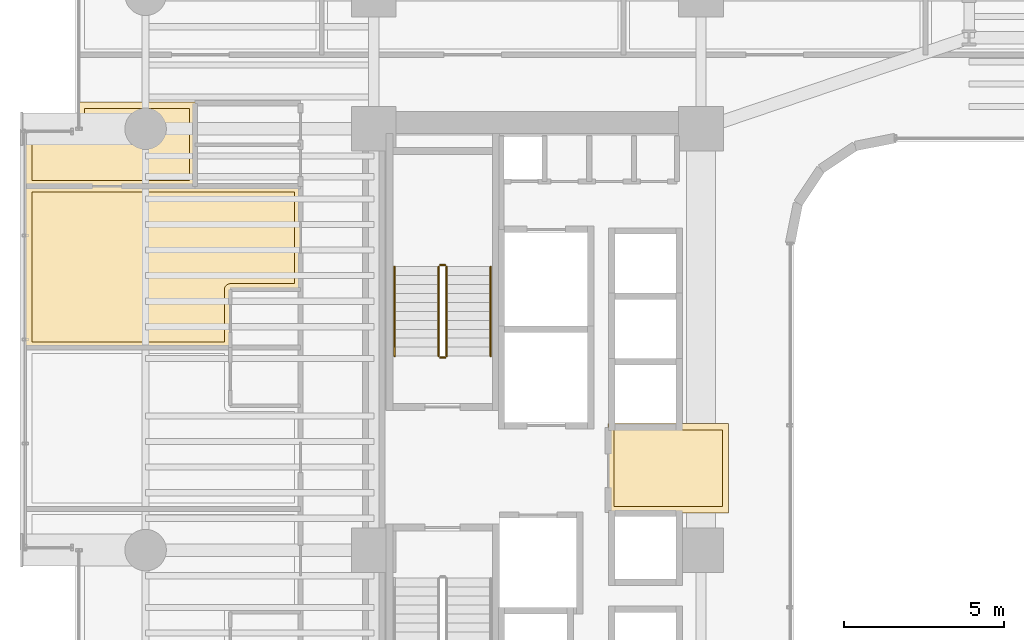
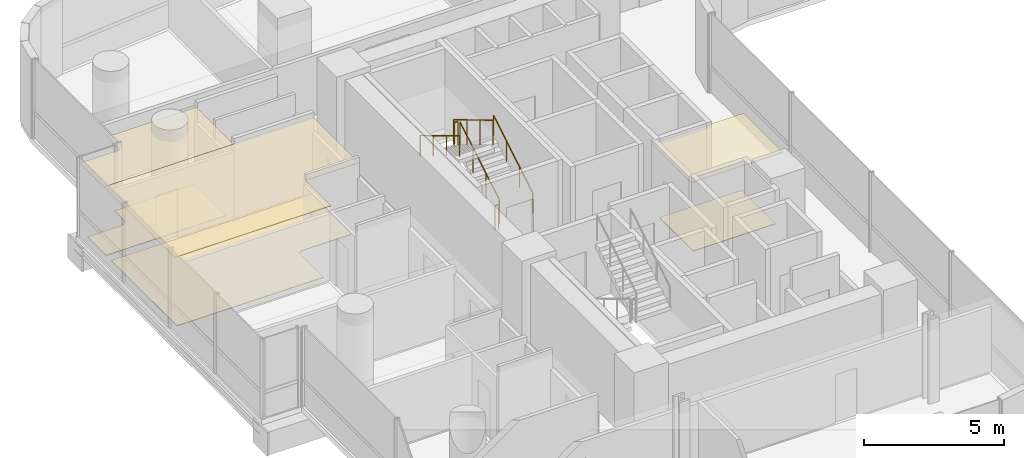
# One storey, part 36 of 39: 6 coverings, 6 railings.
"""IFC4 building model written with IfcOpenShell, lengths in metres."""

from ifc_helpers import new_model, si_unit, direction, frame, origin, origin_2d, place, context, subcontext, project, spatial, polyline, circle, outline, extrude, material, layer, layer_set, type_object, element, save


model = new_model("IFC4")

# Units and contexts
model_context = context("Model", 3, precision=1e-05, world=origin(), true_north=direction((0.0, 1.0)))
body_context = subcontext(model_context, "Body", "Model", "MODEL_VIEW")
ifc_project = project(units=[si_unit("LENGTHUNIT", "METRE"), si_unit("AREAUNIT", "SQUARE_METRE"), si_unit("VOLUMEUNIT", "CUBIC_METRE"), si_unit("PLANEANGLEUNIT", "RADIAN"), si_unit("MASSUNIT", "GRAM", prefix="KILO")], contexts=[model_context])

# Site, building, storey
site_placement = place(None, origin())
site = spatial("IfcSite", under=ifc_project, at=site_placement, CompositionType="ELEMENT")
building_placement = place(site_placement, origin())
building = spatial("IfcBuilding", under=site, at=building_placement, Name="Valdorenza Pilgrim Sanctuary Tower", CompositionType="ELEMENT")
storey_placement = place(building_placement, frame((0.0, 0.0, 77.800048828125)))
storey = spatial("IfcBuildingStorey", under=building, at=storey_placement, Name="L19", CompositionType="ELEMENT", Elevation=77.800048828125)

# Coverings
ifc_material_1 = material(Name="Micro-perforated acoustic mineral ceiling tile", Category="gypsum")
ifc_layer_1 = layer(ifc_material_1, 0.02490234375, Name="Micro-perforated acoustic mineral ceiling tile")
ifc_layer_set_1 = layer_set([ifc_layer_1], Name="Micro-perforated acoustic mineral ceiling tile")
covering_type_1 = type_object("IfcCoveringType", Name="COV-CLG-ACU", PredefinedType="CEILING", material=ifc_layer_set_1)
covering_1_placement = place(storey_placement, frame((0.0, 0.0, 3.159912109375)))
element("IfcCovering", 1, at=covering_1_placement, inside=storey, type_object=covering_type_1, Name="L19 Core A Passenger Lift Lobby Acoustic Ceiling", PredefinedType="CEILING", context=body_context, shape_type="SweptSolid", body=[
    extrude(outline(polyline([(-15.31298828125, 1.244384765625), (-15.31298828125, 1.24462890625), (-15.313720703125, 1.24609375), (-15.314208984375, 1.24755859375), (-15.314697265625, 1.2490234375), (-15.31494140625, 1.25048828125), (-15.31494140625, 1.251953125), (-15.31494140625, 1.35009765625), (-15.31494140625, 1.3515625), (-15.314697265625, 1.352783203125), (-15.314453125, 1.3544921875), (-15.31396484375, 1.355712890625), (-15.313232421875, 1.357177734375), (-15.3125, 1.3583984375), (-15.3115234375, 1.359619140625), (-15.310546875, 1.360595703125), (-15.3095703125, 1.361572265625), (-15.308349609375, 1.362548828125), (-15.30712890625, 1.36328125), (-15.3056640625, 1.364013671875), (-15.304443359375, 1.364501953125), (-15.302978515625, 1.36474609375), (-15.301513671875, 1.364990234375), (-15.300048828125, 1.364990234375), (-15.10205078125, 1.364990234375), (-15.1005859375, 1.364990234375), (-15.09912109375, 1.36474609375), (-15.097412109375, 1.3642578125), (-15.09619140625, 1.36376953125), (-15.0947265625, 1.363037109375), (-15.094482421875, 1.363037109375), (-13.185546875, 1.363037109375), (-13.185302734375, 1.363037109375), (-13.183837890625, 1.36376953125), (-13.1826171875, 1.3642578125), (-13.180908203125, 1.36474609375), (-13.179443359375, 1.364990234375), (-13.177978515625, 1.364990234375), (-11.550048828125, 1.364990234375), (-11.548583984375, 1.364990234375), (-11.547119140625, 1.36474609375), (-11.545654296875, 1.364501953125), (-11.544189453125, 1.364013671875), (-11.54296875, 1.36328125), (-11.541748046875, 1.362548828125), (-11.54052734375, 1.361572265625), (-11.539306640625, 1.360595703125), (-11.538330078125, 1.359619140625), (-11.53759765625, 1.3583984375), (-11.536865234375, 1.357177734375), (-11.5361328125, 1.355712890625), (-11.53564453125, 1.3544921875), (-11.535400390625, 1.352783203125), (-11.53515625, 1.3515625), (-11.534912109375, 1.35009765625), (-11.534912109375, -1.419921875), (-11.53515625, -1.42138671875), (-11.535400390625, -1.4228515625), (-11.53564453125, -1.42431640625), (-11.5361328125, -1.42578125), (-11.536865234375, -1.427001953125), (-11.53759765625, -1.42822265625), (-11.538330078125, -1.429443359375), (-11.539306640625, -1.4306640625), (-11.54052734375, -1.431640625), (-11.541748046875, -1.4326171875), (-11.54296875, -1.43310546875), (-11.544189453125, -1.433837890625), (-11.545654296875, -1.434326171875), (-11.547119140625, -1.434814453125), (-11.548583984375, -1.434814453125), (-11.550048828125, -1.43505859375), (-15.298095703125, -1.43505859375), (-15.299560546875, -1.434814453125), (-15.30078125, -1.434814453125), (-15.302490234375, -1.434326171875), (-15.3037109375, -1.433837890625), (-15.30517578125, -1.43310546875), (-15.306396484375, -1.4326171875), (-15.3076171875, -1.431640625), (-15.30859375, -1.4306640625), (-15.3095703125, -1.429443359375), (-15.310546875, -1.42822265625), (-15.311279296875, -1.427001953125), (-15.31201171875, -1.42578125), (-15.3125, -1.42431640625), (-15.312744140625, -1.4228515625), (-15.31298828125, -1.42138671875), (-15.31298828125, -1.419921875), (-15.31298828125, 1.244384765625)])), origin(), (0.0, 0.0, 1.0), 0.025146484375),
])
covering_2_placement = place(storey_placement, frame((0.0, 0.0, 3.159912109375)))
element("IfcCovering", 2, at=covering_2_placement, inside=storey, type_object=covering_type_1, Name="L19 Pilgrim Scholar Office L19-WN Acoustic Ceiling", PredefinedType="CEILING", context=body_context, shape_type="SweptSolid", body=[
    extrude(outline(polyline([(-28.237060546875, 11.39453125), (-28.237060546875, 10.103759765625), (-28.23681640625, 10.10302734375), (-28.23681640625, 10.1015625), (-28.23681640625, 10.10009765625), (-28.23681640625, 10.098388671875), (-28.237060546875, 10.09814453125), (-28.237060546875, 8.800048828125), (-28.237060546875, 8.798583984375), (-28.2373046875, 8.797119140625), (-28.237548828125, 8.795654296875), (-28.238037109375, 8.794189453125), (-28.23876953125, 8.79296875), (-28.239501953125, 8.791748046875), (-28.240478515625, 8.79052734375), (-28.241455078125, 8.789306640625), (-28.242431640625, 8.788330078125), (-28.24365234375, 8.78759765625), (-28.244873046875, 8.786865234375), (-28.246337890625, 8.7861328125), (-28.24755859375, 8.78564453125), (-28.2490234375, 8.785400390625), (-28.25048828125, 8.78515625), (-28.251953125, 8.784912109375), (-33.5400390625, 8.784912109375), (-33.54150390625, 8.78515625), (-33.54296875, 8.785400390625), (-33.54443359375, 8.78564453125), (-33.545654296875, 8.7861328125), (-33.547119140625, 8.786865234375), (-33.54833984375, 8.78759765625), (-33.549560546875, 8.788330078125), (-33.550537109375, 8.789306640625), (-33.551513671875, 8.79052734375), (-33.552490234375, 8.791748046875), (-33.55322265625, 8.79296875), (-33.553955078125, 8.794189453125), (-33.554443359375, 8.795654296875), (-33.5546875, 8.797119140625), (-33.554931640625, 8.798583984375), (-33.554931640625, 8.800048828125), (-33.554931640625, 10.489990234375), (-33.554931640625, 10.491455078125), (-33.5546875, 10.492919921875), (-33.554443359375, 10.494384765625), (-33.553955078125, 10.49560546875), (-33.55322265625, 10.4970703125), (-33.552490234375, 10.498291015625), (-33.551513671875, 10.49951171875), (-33.550537109375, 10.50048828125), (-33.549560546875, 10.501708984375), (-33.54833984375, 10.50244140625), (-33.547119140625, 10.503173828125), (-33.545654296875, 10.50390625), (-33.54443359375, 10.50439453125), (-33.54296875, 10.504638671875), (-33.54150390625, 10.5048828125), (-33.5400390625, 10.5048828125), (-32.00048828125, 10.5048828125), (-31.99072265625, 10.505615234375), (-31.9814453125, 10.5068359375), (-31.972412109375, 10.509033203125), (-31.963623046875, 10.51220703125), (-31.955078125, 10.51611328125), (-31.947265625, 10.52099609375), (-31.939697265625, 10.526611328125), (-31.932861328125, 10.53271484375), (-31.926513671875, 10.539794921875), (-31.9208984375, 10.547119140625), (-31.916259765625, 10.55517578125), (-31.912109375, 10.563720703125), (-31.9091796875, 10.572509765625), (-31.90673828125, 10.58154296875), (-31.905517578125, 10.5908203125), (-31.905029296875, 10.600341796875), (-31.905029296875, 11.419921875), (-31.90478515625, 11.42138671875), (-31.90478515625, 11.4228515625), (-31.904296875, 11.42431640625), (-31.90380859375, 11.42578125), (-31.9033203125, 11.427001953125), (-31.902587890625, 11.42822265625), (-31.901611328125, 11.429443359375), (-31.900634765625, 11.4306640625), (-31.8994140625, 11.431640625), (-31.898193359375, 11.4326171875), (-31.897216796875, 11.43310546875), (-31.895751953125, 11.433837890625), (-31.894287109375, 11.434326171875), (-31.892822265625, 11.434814453125), (-31.8916015625, 11.434814453125), (-31.889892578125, 11.43505859375), (-28.25, 11.43505859375), (-28.24853515625, 11.434814453125), (-28.2470703125, 11.434814453125), (-28.24560546875, 11.434326171875), (-28.244384765625, 11.433837890625), (-28.242919921875, 11.43310546875), (-28.24169921875, 11.4326171875), (-28.240478515625, 11.431640625), (-28.239501953125, 11.4306640625), (-28.23828125, 11.429443359375), (-28.237548828125, 11.42822265625), (-28.23681640625, 11.427001953125), (-28.236083984375, 11.42578125), (-28.235595703125, 11.42431640625), (-28.2353515625, 11.4228515625), (-28.235107421875, 11.42138671875), (-28.235107421875, 11.419921875), (-28.235107421875, 11.402099609375), (-28.235107421875, 11.400390625), (-28.2353515625, 11.39892578125), (-28.235595703125, 11.3974609375), (-28.236083984375, 11.39599609375), (-28.23681640625, 11.394775390625), (-28.237060546875, 11.39453125)])), origin(), (0.0, 0.0, 1.0), 0.025146484375),
])
covering_3_placement = place(storey_placement, frame((0.0, 0.0, 3.159912109375)))
element("IfcCovering", 3, at=covering_3_placement, inside=storey, type_object=covering_type_1, Name="L19 Pilgrim Guest Room L19-W4 Acoustic Ceiling", PredefinedType="CEILING", context=body_context, shape_type="SweptSolid", body=[
    extrude(outline(polyline([(-28.253662109375, 8.81298828125), (-28.253173828125, 8.81298828125), (-28.25146484375, 8.813232421875), (-28.25, 8.813232421875), (-28.24853515625, 8.81298828125), (-28.248291015625, 8.81298828125), (-24.949951171875, 8.81298828125), (-24.948486328125, 8.81298828125), (-24.947021484375, 8.812744140625), (-24.945556640625, 8.8125), (-24.9443359375, 8.81201171875), (-24.94287109375, 8.811279296875), (-24.941650390625, 8.810546875), (-24.9404296875, 8.8095703125), (-24.939453125, 8.80859375), (-24.9384765625, 8.8076171875), (-24.9375, 8.806396484375), (-24.936767578125, 8.80517578125), (-24.93603515625, 8.8037109375), (-24.935546875, 8.802490234375), (-24.935302734375, 8.80078125), (-24.93505859375, 8.799560546875), (-24.93505859375, 8.798095703125), (-24.93505859375, 5.56689453125), (-24.93505859375, 5.5654296875), (-24.935302734375, 5.564208984375), (-24.935546875, 5.5625), (-24.93603515625, 5.561279296875), (-24.936767578125, 5.559814453125), (-24.9375, 5.55859375), (-24.9384765625, 5.5576171875), (-24.939453125, 5.556396484375), (-24.9404296875, 5.555419921875), (-24.941650390625, 5.554443359375), (-24.94287109375, 5.5537109375), (-24.9443359375, 5.552978515625), (-24.945556640625, 5.552490234375), (-24.947021484375, 5.55224609375), (-24.948486328125, 5.552001953125), (-24.949951171875, 5.552001953125), (-27.136962890625, 5.552001953125), (-27.136962890625, 3.7470703125), (-27.13720703125, 3.74560546875), (-27.13720703125, 3.744140625), (-27.1376953125, 3.74267578125), (-27.13818359375, 3.7412109375), (-27.138916015625, 3.739990234375), (-27.139404296875, 3.73876953125), (-27.140380859375, 3.737548828125), (-27.141357421875, 3.736328125), (-27.142578125, 3.7353515625), (-27.143798828125, 3.734619140625), (-27.14501953125, 3.73388671875), (-27.146240234375, 3.733154296875), (-27.147705078125, 3.732666015625), (-27.149169921875, 3.732421875), (-27.150390625, 3.732177734375), (-27.152099609375, 3.73193359375), (-33.5400390625, 3.73193359375), (-33.54150390625, 3.732177734375), (-33.54296875, 3.732421875), (-33.54443359375, 3.732666015625), (-33.545654296875, 3.733154296875), (-33.547119140625, 3.73388671875), (-33.54833984375, 3.734619140625), (-33.549560546875, 3.7353515625), (-33.550537109375, 3.736328125), (-33.551513671875, 3.737548828125), (-33.552490234375, 3.73876953125), (-33.55322265625, 3.739990234375), (-33.553955078125, 3.7412109375), (-33.554443359375, 3.74267578125), (-33.5546875, 3.744140625), (-33.554931640625, 3.74560546875), (-33.554931640625, 3.7470703125), (-33.554931640625, 8.798095703125), (-33.554931640625, 8.799560546875), (-33.5546875, 8.80078125), (-33.554443359375, 8.802490234375), (-33.553955078125, 8.8037109375), (-33.55322265625, 8.80517578125), (-33.552490234375, 8.806396484375), (-33.551513671875, 8.8076171875), (-33.550537109375, 8.80859375), (-33.549560546875, 8.8095703125), (-33.54833984375, 8.810546875), (-33.547119140625, 8.811279296875), (-33.545654296875, 8.81201171875), (-33.54443359375, 8.8125), (-33.54296875, 8.812744140625), (-33.54150390625, 8.81298828125), (-33.5400390625, 8.81298828125), (-28.253662109375, 8.81298828125)])), origin(), (0.0, 0.0, 1.0), 0.025146484375),
])
ifc_material_2 = material(Name="Engineered European oak timber flooring", Category="wood")
ifc_layer_2 = layer(ifc_material_2, 0.02197265625, Name="Engineered European oak timber flooring")
ifc_layer_set_2 = layer_set([ifc_layer_2], Name="Engineered European oak timber flooring")
covering_type_2 = type_object("IfcCoveringType", Name="COV-FLR-OAK", PredefinedType="FLOORING", material=ifc_layer_set_2)
covering_4_placement = place(storey_placement, origin())
element("IfcCovering", 4, at=covering_4_placement, inside=storey, type_object=covering_type_2, Name="L19 Pilgrim Guest Room L19-W4 Flooring", PredefinedType="FLOORING", context=body_context, shape_type="SweptSolid", body=[
    extrude(outline(polyline([(-28.250244140625, 8.617919921875), (-28.25, 8.617919921875), (-25.1298828125, 8.617919921875), (-25.1298828125, 5.7470703125), (-27.14990234375, 5.7470703125), (-27.15869140625, 5.746826171875), (-27.158935546875, 5.746826171875), (-27.176513671875, 5.7451171875), (-27.1767578125, 5.7451171875), (-27.194091796875, 5.74169921875), (-27.1943359375, 5.741455078125), (-27.211181640625, 5.736328125), (-27.21142578125, 5.736328125), (-27.227783203125, 5.7294921875), (-27.227783203125, 5.7294921875), (-27.243408203125, 5.72119140625), (-27.24365234375, 5.72119140625), (-27.25830078125, 5.711181640625), (-27.258544921875, 5.711181640625), (-27.272216796875, 5.699951171875), (-27.272216796875, 5.69970703125), (-27.284912109375, 5.687255859375), (-27.284912109375, 5.68701171875), (-27.296142578125, 5.673583984375), (-27.296142578125, 5.67333984375), (-27.30615234375, 5.65869140625), (-27.30615234375, 5.658447265625), (-27.314453125, 5.642822265625), (-27.314697265625, 5.642578125), (-27.3212890625, 5.62646484375), (-27.3212890625, 5.626220703125), (-27.326416015625, 5.609375), (-27.32666015625, 5.609130859375), (-27.330078125, 5.591796875), (-27.330078125, 5.591552734375), (-27.331787109375, 5.573974609375), (-27.331787109375, 5.57373046875), (-27.33203125, 5.56494140625), (-27.33203125, 3.927001953125), (-33.360107421875, 3.927001953125), (-33.360107421875, 8.617919921875), (-28.251953125, 8.617919921875), (-28.2509765625, 8.617919921875), (-28.250244140625, 8.617919921875)])), origin(), (0.0, 0.0, 1.0), 0.02490234375),
])
ifc_material_3 = material(Name="Honed travertine stone flooring", Category="masonry")
ifc_layer_3 = layer(ifc_material_3, 0.030029296875, Name="Honed travertine stone flooring")
ifc_layer_set_3 = layer_set([ifc_layer_3], Name="Honed travertine stone flooring")
covering_type_3 = type_object("IfcCoveringType", Name="COV-FLR-TRV", PredefinedType="FLOORING", material=ifc_layer_set_3)
covering_5_placement = place(storey_placement, origin())
element("IfcCovering", 5, at=covering_5_placement, inside=storey, type_object=covering_type_3, Name="L19 Core A Passenger Lift Lobby Flooring", PredefinedType="FLOORING", context=body_context, shape_type="SweptSolid", body=[
    extrude(outline(polyline([(-15.117919921875, 1.169189453125), (-15.10888671875, 1.168212890625), (-15.10888671875, 1.168212890625), (-15.10009765625, 1.16796875), (-13.179931640625, 1.16796875), (-13.1796875, 1.16796875), (-11.72998046875, 1.169921875), (-11.72998046875, -1.239990234375), (-15.117919921875, -1.239990234375), (-15.117919921875, 1.169189453125)])), origin(), (0.0, 0.0, 1.0), 0.02490234375),
])
covering_6_placement = place(storey_placement, origin())
element("IfcCovering", 6, at=covering_6_placement, inside=storey, type_object=covering_type_3, Name="L19 Pilgrim Scholar Office L19-WN Flooring", PredefinedType="FLOORING", context=body_context, shape_type="SweptSolid", body=[
    extrude(outline(polyline([(-28.431884765625, 11.239990234375), (-28.431884765625, 10.10205078125), (-28.431884765625, 10.10107421875), (-28.431884765625, 10.100341796875), (-28.431884765625, 10.10009765625), (-28.431884765625, 8.97998046875), (-33.360107421875, 8.97998046875), (-33.360107421875, 10.31005859375), (-32.0, 10.31005859375), (-31.9912109375, 10.310302734375), (-31.98046875, 10.310791015625), (-31.962890625, 10.3125), (-31.9521484375, 10.314208984375), (-31.934814453125, 10.3173828125), (-31.92431640625, 10.320068359375), (-31.907470703125, 10.3251953125), (-31.897216796875, 10.328857421875), (-31.880859375, 10.335693359375), (-31.87109375, 10.34033203125), (-31.855712890625, 10.3486328125), (-31.84619140625, 10.35400390625), (-31.831787109375, 10.364013671875), (-31.822998046875, 10.370361328125), (-31.809326171875, 10.381591796875), (-31.80126953125, 10.388916015625), (-31.788818359375, 10.4013671875), (-31.781494140625, 10.4091796875), (-31.7705078125, 10.423095703125), (-31.763916015625, 10.431640625), (-31.754150390625, 10.4462890625), (-31.74853515625, 10.45556640625), (-31.740234375, 10.47119140625), (-31.735595703125, 10.48095703125), (-31.72900390625, 10.497314453125), (-31.725341796875, 10.50732421875), (-31.72021484375, 10.5244140625), (-31.717529296875, 10.534912109375), (-31.714111328125, 10.552001953125), (-31.71240234375, 10.562744140625), (-31.710693359375, 10.580322265625), (-31.710205078125, 10.59130859375), (-31.7099609375, 10.60009765625), (-31.7099609375, 11.239990234375), (-28.431884765625, 11.239990234375)])), origin(), (0.0, 0.0, 1.0), 0.02490234375),
])

# Railings
ifc_material_4 = material(Name="Stainless steel Grade 316", Category="steel")
railing_type_1 = type_object("IfcRailingType", Name="RLG-GRD-1120", PredefinedType="GUARDRAIL", material=ifc_material_4)
railing_1_placement = place(storey_placement, frame((-20.3701171875, 3.47998046875, 0.168212890625)))
element("IfcRailing", 7, at=railing_1_placement, inside=storey, type_object=railing_type_1, Name="L19 ST-A1 stair guard 1", PredefinedType="GUARDRAIL", context=body_context, shape_type="SweptSolid", body=[
    extrude(circle(Radius=0.02392578125, at=origin_2d()), frame((0.0, 0.0, 1.076171875), z_axis=(0.0, 0.857275202839, 0.514858452973), x_axis=(-1.0, 0.0, 0.0)), (0.0, 0.0, 1.0), 3.26611328125),
    extrude(circle(Radius=0.02099609375, at=origin_2d()), origin(), (0.0, 0.0, 1.0), 1.052001953125),
    extrude(circle(Radius=0.02099609375, at=origin_2d()), frame((0.0, 0.933349609375, 0.560546875)), (0.0, 0.0, 1.0), 1.052001953125),
    extrude(circle(Radius=0.02099609375, at=origin_2d()), frame((0.0, 1.86669921875, 1.12109375)), (0.0, 0.0, 1.0), 1.052001953125),
    extrude(circle(Radius=0.02099609375, at=origin_2d()), frame((0.0, 2.800048828125, 1.681640625)), (0.0, 0.0, 1.0), 1.052001953125),
])
railing_2_placement = place(storey_placement, frame((-20.419921875, 6.330078125, 1.849853515625)))
element("IfcRailing", 8, at=railing_2_placement, inside=storey, type_object=railing_type_1, Name="L19 ST-A1 stair guard 2", PredefinedType="GUARDRAIL", context=body_context, shape_type="SweptSolid", body=[
    extrude(circle(Radius=0.02392578125, at=origin_2d()), frame((0.0, 0.0, 1.076171875), z_axis=(-1.0, 0.0, 0.0), x_axis=(0.0, -1.0, 0.0)), (0.0, 0.0, 1.0), 0.150146484375),
    extrude(circle(Radius=0.02099609375, at=origin_2d()), origin(), (0.0, 0.0, 1.0), 1.052001953125),
    extrude(circle(Radius=0.02099609375, at=origin_2d()), frame((-0.150146484375, 0.0, 0.0)), (0.0, 0.0, 1.0), 1.052001953125),
])
railing_3_placement = place(storey_placement, frame((-20.6201171875, 6.280029296875, 2.01806640625)))
element("IfcRailing", 9, at=railing_3_placement, inside=storey, type_object=railing_type_1, Name="L19 ST-A1 stair guard 3", PredefinedType="GUARDRAIL", context=body_context, shape_type="SweptSolid", body=[
    extrude(circle(Radius=0.02392578125, at=origin_2d()), frame((0.0, 0.0, 1.076171875), z_axis=(0.0, -0.857242210791, 0.514913383045), x_axis=(1.0, 0.0, 0.0)), (0.0, 0.0, 1.0), 3.266357421875),
    extrude(circle(Radius=0.02099609375, at=origin_2d()), origin(), (0.0, 0.0, 1.0), 1.052001953125),
    extrude(circle(Radius=0.02099609375, at=origin_2d()), frame((0.0, -0.933349609375, 0.560546875)), (0.0, 0.0, 1.0), 1.052001953125),
    extrude(circle(Radius=0.02099609375, at=origin_2d()), frame((0.0, -1.86669921875, 1.121337890625)), (0.0, 0.0, 1.0), 1.052001953125),
    extrude(circle(Radius=0.02099609375, at=origin_2d()), frame((0.0, -2.800048828125, 1.681884765625)), (0.0, 0.0, 1.0), 1.052001953125),
])
railing_4_placement = place(storey_placement, frame((-20.419921875, 3.429931640625, 0.0)))
element("IfcRailing", 10, at=railing_4_placement, inside=storey, type_object=railing_type_1, Name="L19 ST-A1 stair guard 4", PredefinedType="GUARDRAIL", context=body_context, shape_type="SweptSolid", body=[
    extrude(circle(Radius=0.02392578125, at=origin_2d()), frame((0.0, 0.0, 1.076171875), z_axis=(-1.0, 0.0, 0.0), x_axis=(0.0, -1.0, 0.0)), (0.0, 0.0, 1.0), 0.150146484375),
    extrude(circle(Radius=0.02099609375, at=origin_2d()), origin(), (0.0, 0.0, 1.0), 1.052001953125),
    extrude(circle(Radius=0.02099609375, at=origin_2d()), frame((-0.150146484375, 0.0, 0.0)), (0.0, 0.0, 1.0), 1.052001953125),
])
ifc_material_5 = material(Name="Brushed stainless steel Grade 316", Category="steel")
railing_type_2 = type_object("IfcRailingType", Name="RLG-HND-920", PredefinedType="HANDRAIL", material=ifc_material_5)
railing_5_placement = place(storey_placement, frame((-18.989990234375, 3.47998046875, 0.168212890625)))
element("IfcRailing", 11, at=railing_5_placement, inside=storey, type_object=railing_type_2, Name="L19 ST-A1 stair handrail 1", PredefinedType="HANDRAIL", context=body_context, shape_type="SweptSolid", body=[
    extrude(circle(Radius=0.02392578125, at=origin_2d()), frame((0.0, 0.0, 0.8759765625), z_axis=(0.0, 0.857275202839, 0.514858452973), x_axis=(-1.0, 0.0, 0.0)), (0.0, 0.0, 1.0), 3.26611328125),
    extrude(circle(Radius=0.02099609375, at=origin_2d()), origin(), (0.0, 0.0, 1.0), 0.851806640625),
    extrude(circle(Radius=0.02099609375, at=origin_2d()), frame((0.0, 0.933349609375, 0.560546875)), (0.0, 0.0, 1.0), 0.851806640625),
    extrude(circle(Radius=0.02099609375, at=origin_2d()), frame((0.0, 1.86669921875, 1.12109375)), (0.0, 0.0, 1.0), 0.851806640625),
    extrude(circle(Radius=0.02099609375, at=origin_2d()), frame((0.0, 2.800048828125, 1.681640625)), (0.0, 0.0, 1.0), 0.851806640625),
])
railing_6_placement = place(storey_placement, frame((-22.0, 6.280029296875, 2.01806640625)))
element("IfcRailing", 12, at=railing_6_placement, inside=storey, type_object=railing_type_2, Name="L19 ST-A1 stair handrail 2", PredefinedType="HANDRAIL", context=body_context, shape_type="SweptSolid", body=[
    extrude(circle(Radius=0.02392578125, at=origin_2d()), frame((0.0, 0.0, 0.8759765625), z_axis=(0.0, -0.857242210791, 0.514913383045), x_axis=(1.0, 0.0, 0.0)), (0.0, 0.0, 1.0), 3.266357421875),
    extrude(circle(Radius=0.02099609375, at=origin_2d()), origin(), (0.0, 0.0, 1.0), 0.851806640625),
    extrude(circle(Radius=0.02099609375, at=origin_2d()), frame((0.0, -0.933349609375, 0.560546875)), (0.0, 0.0, 1.0), 0.851806640625),
    extrude(circle(Radius=0.02099609375, at=origin_2d()), frame((0.0, -1.86669921875, 1.121337890625)), (0.0, 0.0, 1.0), 0.851806640625),
    extrude(circle(Radius=0.02099609375, at=origin_2d()), frame((0.0, -2.800048828125, 1.681884765625)), (0.0, 0.0, 1.0), 0.851806640625),
])

save(model, "model.ifc")
